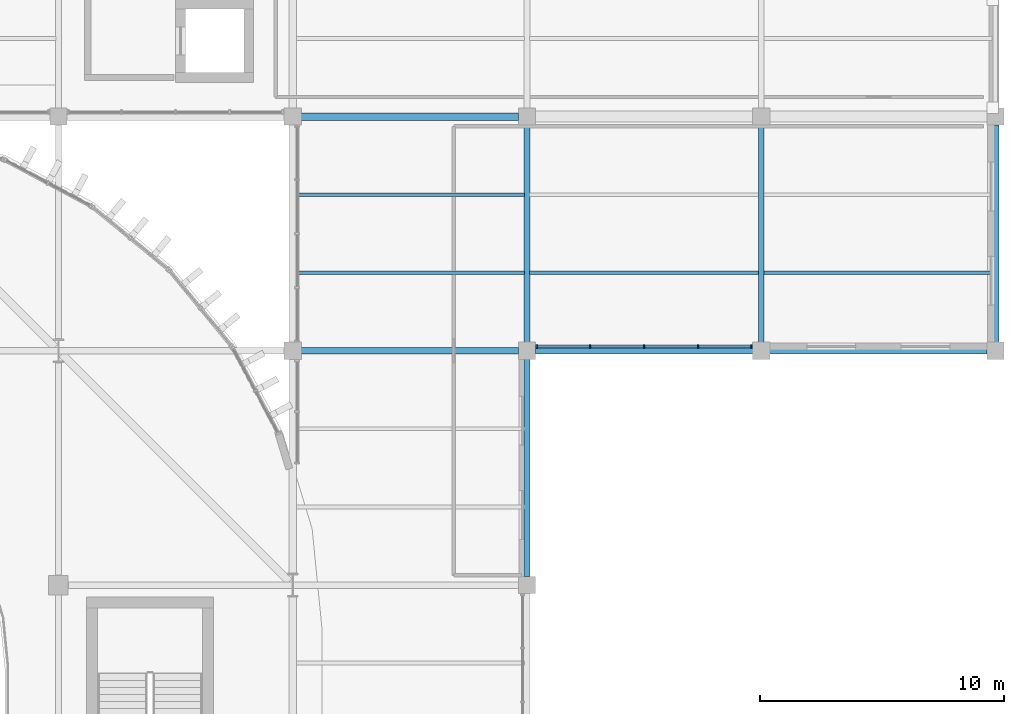
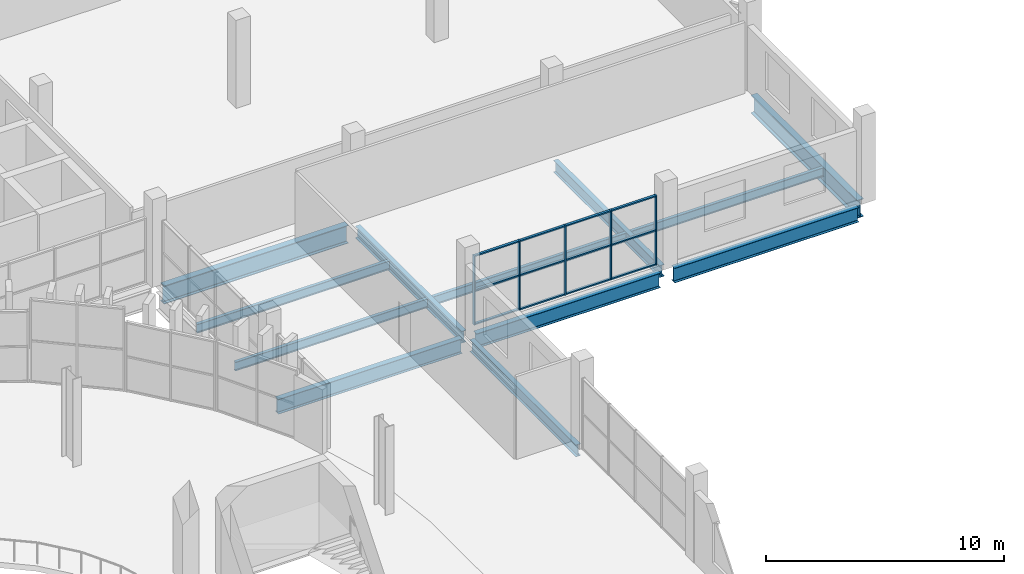
# One storey, part 29 of 75: 17 members, 12 beams, 1 element without a shape of its own.
"""IFC4 building model written with IfcOpenShell, lengths in metres."""

from ifc_helpers import new_model, si_unit, direction, frame, origin, origin_2d, place, context, subcontext, project, spatial, rectangle, i_section, extrude, material, layer, layer_set, material_profile, profile_set, type_object, element, aggregate, save


model = new_model("IFC4")

# Units and contexts
model_context = context("Model", 3, precision=1e-05, world=origin(), true_north=direction((0.0, 1.0)))
body_context = subcontext(model_context, "Body", "Model", "MODEL_VIEW")
ifc_project = project(units=[si_unit("LENGTHUNIT", "METRE"), si_unit("AREAUNIT", "SQUARE_METRE"), si_unit("VOLUMEUNIT", "CUBIC_METRE"), si_unit("PLANEANGLEUNIT", "RADIAN"), si_unit("MASSUNIT", "GRAM", prefix="KILO")], contexts=[model_context])

# Site, building, storey
site_placement = place(None, origin())
site = spatial("IfcSite", under=ifc_project, at=site_placement, CompositionType="ELEMENT")
building_placement = place(site_placement, origin())
building = spatial("IfcBuilding", under=site, at=building_placement, Name="Caelomonte Colonnade Arena", CompositionType="ELEMENT")
storey_placement = place(building_placement, frame((0.0, 0.0, 14.10009765625)))
storey = spatial("IfcBuildingStorey", under=building, at=storey_placement, Name="L03", CompositionType="ELEMENT", Elevation=14.10009765625)

# Curtain wall, members
ifc_material_1 = material(Name="Bronze anodised aluminium and low-E glazing", Category="aluminium")
ifc_layer = layer(ifc_material_1, 0.179931640625)
ifc_layer_set = layer_set([ifc_layer], Name="Bronze anodised aluminium and low-E glazing")
curtain_wall_type = type_object("IfcCurtainWallType", Name="ENV-CW-CW-L03-96-36", PredefinedType="USERDEFINED", material=ifc_layer_set)
curtain_wall_placement = place(storey_placement, origin())
curtain_wall = element("IfcCurtainWall", 1, at=curtain_wall_placement, inside=storey, type_object=curtain_wall_type, Name="L03 unitized curtain wall CW-L03-1776-1058", ObjectType="UNITIZED CURTAIN WALL", PredefinedType="USERDEFINED")
ifc_material_2 = material(Name="Bronze anodised aluminium AA6063-T6", Category="aluminium")
ifc_material_profile_1 = material_profile(ifc_material_2, rectangle(XDim=0.06494140625, YDim=0.14990234375, at=origin_2d()), Name="CWM-65X150")
ifc_profile_set_1 = profile_set([ifc_material_profile_1], Name="Bronze anodised aluminium AA6063-T6")
member_type_1 = type_object("IfcMemberType", Name="ENV-CW-MULL2", PredefinedType="MULLION", material=ifc_profile_set_1)
member_1_placement = place(storey_placement, frame((173.202392578125, 105.780029296875, 0.0), z_axis=(0.0, 0.0, 1.0), x_axis=(1.0, 0.0, 0.0)))
member_1 = element("IfcMember", 2, at=member_1_placement, type_object=member_type_1, Name="CW-L03-96-36 mullion 1", PredefinedType="MULLION", context=body_context, shape_type="SweptSolid", body=[
    extrude(rectangle(XDim=0.06494140625, YDim=0.14990234375, at=origin_2d()), origin(), (0.0, 0.0, 1.0), 3.556396484375),
])
member_2_placement = place(storey_placement, frame((175.385009765625, 105.780029296875, 0.0), z_axis=(0.0, 0.0, 1.0), x_axis=(1.0, 0.0, 0.0)))
member_2 = element("IfcMember", 3, at=member_2_placement, type_object=member_type_1, Name="CW-L03-96-36 mullion 2", PredefinedType="MULLION", context=body_context, shape_type="SweptSolid", body=[
    extrude(rectangle(XDim=0.06494140625, YDim=0.14990234375, at=origin_2d()), origin(), (0.0, 0.0, 1.0), 3.556396484375),
])
member_3_placement = place(storey_placement, frame((177.60009765625, 105.780029296875, 0.0), z_axis=(0.0, 0.0, 1.0), x_axis=(1.0, 0.0, 0.0)))
member_3 = element("IfcMember", 4, at=member_3_placement, type_object=member_type_1, Name="CW-L03-96-36 mullion 3", PredefinedType="MULLION", context=body_context, shape_type="SweptSolid", body=[
    extrude(rectangle(XDim=0.06494140625, YDim=0.14990234375, at=origin_2d()), origin(), (0.0, 0.0, 1.0), 3.556396484375),
])
member_4_placement = place(storey_placement, frame((179.81494140625, 105.780029296875, 0.0), z_axis=(0.0, 0.0, 1.0), x_axis=(1.0, 0.0, 0.0)))
member_4 = element("IfcMember", 5, at=member_4_placement, type_object=member_type_1, Name="CW-L03-96-36 mullion 4", PredefinedType="MULLION", context=body_context, shape_type="SweptSolid", body=[
    extrude(rectangle(XDim=0.06494140625, YDim=0.14990234375, at=origin_2d()), origin(), (0.0, 0.0, 1.0), 3.556396484375),
])
member_5_placement = place(storey_placement, frame((181.99755859375, 105.780029296875, 0.0), z_axis=(0.0, 0.0, 1.0), x_axis=(1.0, 0.0, 0.0)))
member_5 = element("IfcMember", 6, at=member_5_placement, type_object=member_type_1, Name="CW-L03-96-36 mullion 5", PredefinedType="MULLION", context=body_context, shape_type="SweptSolid", body=[
    extrude(rectangle(XDim=0.06494140625, YDim=0.14990234375, at=origin_2d()), origin(), (0.0, 0.0, 1.0), 3.556396484375),
])
ifc_material_profile_2 = material_profile(ifc_material_2, rectangle(XDim=0.06494140625, YDim=0.1201171875, at=origin_2d()), Name="CWT-65X120")
ifc_profile_set_2 = profile_set([ifc_material_profile_2], Name="Bronze anodised aluminium AA6063-T6")
member_type_2 = type_object("IfcMemberType", Name="ENV-CW-TRAN2", PredefinedType="USERDEFINED", material=ifc_profile_set_2)
member_6_placement = place(storey_placement, frame((173.235107421875, 105.780029296875, 0.032470703125), z_axis=(1.0, 0.0, 0.0), x_axis=(0.0, 0.0, 1.0)))
member_6 = element("IfcMember", 7, at=member_6_placement, type_object=member_type_2, Name="CW-L03-96-36 transom 1.1", ObjectType="TRANSOM", PredefinedType="USERDEFINED", context=body_context, shape_type="SweptSolid", body=[
    extrude(rectangle(XDim=0.06494140625, YDim=0.1201171875, at=origin_2d()), origin(), (0.0, 0.0, 1.0), 2.117431640625),
])
member_7_placement = place(storey_placement, frame((173.235107421875, 105.780029296875, 1.7783203125), z_axis=(1.0, 0.0, 0.0), x_axis=(0.0, 0.0, 1.0)))
member_7 = element("IfcMember", 8, at=member_7_placement, type_object=member_type_2, Name="CW-L03-96-36 transom 1.2", ObjectType="TRANSOM", PredefinedType="USERDEFINED", context=body_context, shape_type="SweptSolid", body=[
    extrude(rectangle(XDim=0.06494140625, YDim=0.1201171875, at=origin_2d()), origin(), (0.0, 0.0, 1.0), 2.117431640625),
])
member_8_placement = place(storey_placement, frame((173.235107421875, 105.780029296875, 3.52392578125), z_axis=(1.0, 0.0, 0.0), x_axis=(0.0, 0.0, 1.0)))
member_8 = element("IfcMember", 9, at=member_8_placement, type_object=member_type_2, Name="CW-L03-96-36 transom 1.3", ObjectType="TRANSOM", PredefinedType="USERDEFINED", context=body_context, shape_type="SweptSolid", body=[
    extrude(rectangle(XDim=0.06494140625, YDim=0.1201171875, at=origin_2d()), origin(), (0.0, 0.0, 1.0), 2.117431640625),
])
member_9_placement = place(storey_placement, frame((175.41748046875, 105.780029296875, 0.032470703125), z_axis=(1.0, 0.0, 0.0), x_axis=(0.0, 0.0, 1.0)))
member_9 = element("IfcMember", 10, at=member_9_placement, type_object=member_type_2, Name="CW-L03-96-36 transom 2.1", ObjectType="TRANSOM", PredefinedType="USERDEFINED", context=body_context, shape_type="SweptSolid", body=[
    extrude(rectangle(XDim=0.06494140625, YDim=0.1201171875, at=origin_2d()), origin(), (0.0, 0.0, 1.0), 2.14990234375),
])
member_10_placement = place(storey_placement, frame((175.41748046875, 105.780029296875, 1.7783203125), z_axis=(1.0, 0.0, 0.0), x_axis=(0.0, 0.0, 1.0)))
member_10 = element("IfcMember", 11, at=member_10_placement, type_object=member_type_2, Name="CW-L03-96-36 transom 2.2", ObjectType="TRANSOM", PredefinedType="USERDEFINED", context=body_context, shape_type="SweptSolid", body=[
    extrude(rectangle(XDim=0.06494140625, YDim=0.1201171875, at=origin_2d()), origin(), (0.0, 0.0, 1.0), 2.14990234375),
])
member_11_placement = place(storey_placement, frame((175.41748046875, 105.780029296875, 3.52392578125), z_axis=(1.0, 0.0, 0.0), x_axis=(0.0, 0.0, 1.0)))
member_11 = element("IfcMember", 12, at=member_11_placement, type_object=member_type_2, Name="CW-L03-96-36 transom 2.3", ObjectType="TRANSOM", PredefinedType="USERDEFINED", context=body_context, shape_type="SweptSolid", body=[
    extrude(rectangle(XDim=0.06494140625, YDim=0.1201171875, at=origin_2d()), origin(), (0.0, 0.0, 1.0), 2.14990234375),
])
member_12_placement = place(storey_placement, frame((177.632568359375, 105.780029296875, 0.032470703125), z_axis=(1.0, 0.0, 0.0), x_axis=(0.0, 0.0, 1.0)))
member_12 = element("IfcMember", 13, at=member_12_placement, type_object=member_type_2, Name="CW-L03-96-36 transom 3.1", ObjectType="TRANSOM", PredefinedType="USERDEFINED", context=body_context, shape_type="SweptSolid", body=[
    extrude(rectangle(XDim=0.06494140625, YDim=0.1201171875, at=origin_2d()), origin(), (0.0, 0.0, 1.0), 2.14990234375),
])
member_13_placement = place(storey_placement, frame((177.632568359375, 105.780029296875, 1.7783203125), z_axis=(1.0, 0.0, 0.0), x_axis=(0.0, 0.0, 1.0)))
member_13 = element("IfcMember", 14, at=member_13_placement, type_object=member_type_2, Name="CW-L03-96-36 transom 3.2", ObjectType="TRANSOM", PredefinedType="USERDEFINED", context=body_context, shape_type="SweptSolid", body=[
    extrude(rectangle(XDim=0.06494140625, YDim=0.1201171875, at=origin_2d()), origin(), (0.0, 0.0, 1.0), 2.14990234375),
])
member_14_placement = place(storey_placement, frame((177.632568359375, 105.780029296875, 3.52392578125), z_axis=(1.0, 0.0, 0.0), x_axis=(0.0, 0.0, 1.0)))
member_14 = element("IfcMember", 15, at=member_14_placement, type_object=member_type_2, Name="CW-L03-96-36 transom 3.3", ObjectType="TRANSOM", PredefinedType="USERDEFINED", context=body_context, shape_type="SweptSolid", body=[
    extrude(rectangle(XDim=0.06494140625, YDim=0.1201171875, at=origin_2d()), origin(), (0.0, 0.0, 1.0), 2.14990234375),
])
member_15_placement = place(storey_placement, frame((179.847412109375, 105.780029296875, 0.032470703125), z_axis=(1.0, 0.0, 0.0), x_axis=(0.0, 0.0, 1.0)))
member_15 = element("IfcMember", 16, at=member_15_placement, type_object=member_type_2, Name="CW-L03-96-36 transom 4.1", ObjectType="TRANSOM", PredefinedType="USERDEFINED", context=body_context, shape_type="SweptSolid", body=[
    extrude(rectangle(XDim=0.06494140625, YDim=0.1201171875, at=origin_2d()), origin(), (0.0, 0.0, 1.0), 2.11767578125),
])
member_16_placement = place(storey_placement, frame((179.847412109375, 105.780029296875, 1.7783203125), z_axis=(1.0, 0.0, 0.0), x_axis=(0.0, 0.0, 1.0)))
member_16 = element("IfcMember", 17, at=member_16_placement, type_object=member_type_2, Name="CW-L03-96-36 transom 4.2", ObjectType="TRANSOM", PredefinedType="USERDEFINED", context=body_context, shape_type="SweptSolid", body=[
    extrude(rectangle(XDim=0.06494140625, YDim=0.1201171875, at=origin_2d()), origin(), (0.0, 0.0, 1.0), 2.11767578125),
])
member_17_placement = place(storey_placement, frame((179.847412109375, 105.780029296875, 3.52392578125), z_axis=(1.0, 0.0, 0.0), x_axis=(0.0, 0.0, 1.0)))
member_17 = element("IfcMember", 18, at=member_17_placement, type_object=member_type_2, Name="CW-L03-96-36 transom 4.3", ObjectType="TRANSOM", PredefinedType="USERDEFINED", context=body_context, shape_type="SweptSolid", body=[
    extrude(rectangle(XDim=0.06494140625, YDim=0.1201171875, at=origin_2d()), origin(), (0.0, 0.0, 1.0), 2.11767578125),
])
aggregate(curtain_wall, [member_1, member_2, member_3, member_4, member_5, member_6, member_7, member_8, member_9, member_10, member_11, member_12, member_13, member_14, member_15, member_16, member_17])

# Beams
ifc_material_3 = material(Name="Wide-flange steel ASTM A992 Grade 50", Category="steel")
ifc_material_profile_3 = material_profile(ifc_material_3, i_section(OverallWidth=0.307861328125, OverallDepth=0.927001953125, WebThickness=0.019287109375, FlangeThickness=0.031982421875, FilletRadius=0.020263671875, at=origin_2d()), Name="W36X194")
ifc_profile_set_3 = profile_set([ifc_material_profile_3], Name="Wide-flange steel ASTM A992 Grade 50")
beam_type_1 = type_object("IfcBeamType", Name="STR-BM-EAVES2", PredefinedType="SPANDREL", material=ifc_profile_set_3)
for number, where, z_axis, x_axis, name in (
    (19, (163.5419921875, 115.199951171875, -0.74365234375), (1.0, 0.0, 0.0), (0.0, 1.0, 0.0), "L03 girder BMX-L03-1632-1152"),
    (20, (192.0, 105.94189453125, -0.74365234375), (0.0, 1.0, 0.0), (-1.0, 0.0, 0.0), "L03 girder BMY-L03-1920-1056"),
):
    element("IfcBeam", number, at=place(storey_placement, frame(where, z_axis=z_axis, x_axis=x_axis)), inside=storey, type_object=beam_type_1, Name=name, PredefinedType="SPANDREL", context=body_context, shape_type="SweptSolid", body=[
        extrude(i_section(OverallWidth=0.307861328125, OverallDepth=0.927001953125, WebThickness=0.019287109375, FlangeThickness=0.031982421875, FilletRadius=0.020263671875, at=origin_2d()), origin(), (0.0, 0.0, 1.0), 8.916015625),
    ])
ifc_material_profile_4 = material_profile(ifc_material_3, i_section(OverallWidth=0.228271484375, OverallDepth=0.607177734375, WebThickness=0.01123046875, FlangeThickness=0.017333984375, FilletRadius=0.0126953125, at=origin_2d()), Name="W24X76")
ifc_profile_set_4 = profile_set([ifc_material_profile_4], Name="Wide-flange steel ASTM A992 Grade 50")
beam_type_2 = type_object("IfcBeamType", Name="STR-BM-GIRD24", PredefinedType="BEAM", material=ifc_profile_set_4)
for number, where, z_axis, x_axis, name in (
    (21, (172.800048828125, 96.342041015625, -0.58349609375), (0.0, 1.0, 0.0), (-1.0, 0.0, 0.0), "L03 girder BMY-L03-1728-0960"),
    (22, (172.800048828125, 105.94189453125, -0.58349609375), (0.0, 1.0, 0.0), (-1.0, 0.0, 0.0), "L03 girder BMY-L03-1728-1056"),
    (23, (182.39990234375, 105.94189453125, -0.58349609375), (0.0, 1.0, 0.0), (-1.0, 0.0, 0.0), "L03 girder BMY-L03-1824-1056"),
):
    element("IfcBeam", number, at=place(storey_placement, frame(where, z_axis=z_axis, x_axis=x_axis)), inside=storey, type_object=beam_type_2, Name=name, PredefinedType="BEAM", context=body_context, shape_type="SweptSolid", body=[
        extrude(i_section(OverallWidth=0.228271484375, OverallDepth=0.607177734375, WebThickness=0.01123046875, FlangeThickness=0.017333984375, FilletRadius=0.0126953125, at=origin_2d()), origin(), (0.0, 0.0, 1.0), 8.916015625),
    ])
ifc_material_profile_5 = material_profile(ifc_material_3, i_section(OverallWidth=0.265380859375, OverallDepth=0.75439453125, WebThickness=0.01318359375, FlangeThickness=0.01708984375, FilletRadius=0.0166015625, at=origin_2d()), Name="W30X99")
ifc_profile_set_5 = profile_set([ifc_material_profile_5], Name="Wide-flange steel ASTM A992 Grade 50")
beam_type_3 = type_object("IfcBeamType", Name="STR-BM-GIRD30B", PredefinedType="BEAM", material=ifc_profile_set_5)
for number, where, z_axis, x_axis, name in (
    (24, (163.5419921875, 105.60009765625, -0.6572265625), (1.0, 0.0, 0.0), (0.0, 1.0, 0.0), "L03 girder BMX-L03-1632-1056"),
    (25, (173.14208984375, 105.60009765625, -0.6572265625), (1.0, 0.0, 0.0), (0.0, 1.0, 0.0), "L03 girder BMX-L03-1728-1056"),
    (26, (182.741943359375, 105.60009765625, -0.6572265625), (1.0, 0.0, 0.0), (0.0, 1.0, 0.0), "L03 girder BMX-L03-1824-1056"),
):
    element("IfcBeam", number, at=place(storey_placement, frame(where, z_axis=z_axis, x_axis=x_axis)), inside=storey, type_object=beam_type_3, Name=name, PredefinedType="BEAM", context=body_context, shape_type="SweptSolid", body=[
        extrude(i_section(OverallWidth=0.265380859375, OverallDepth=0.75439453125, WebThickness=0.01318359375, FlangeThickness=0.01708984375, FilletRadius=0.0166015625, at=origin_2d()), origin(), (0.0, 0.0, 1.0), 8.916015625),
    ])
ifc_material_profile_6 = material_profile(ifc_material_3, i_section(OverallWidth=0.15283203125, OverallDepth=0.45458984375, WebThickness=0.008056640625, FlangeThickness=0.01318359375, FilletRadius=0.01025390625, at=origin_2d()), Name="W18X40")
ifc_profile_set_6 = profile_set([ifc_material_profile_6], Name="Wide-flange steel ASTM A992 Grade 50")
beam_type_4 = type_object("IfcBeamType", Name="STR-BM-JOIST18B", PredefinedType="JOIST", material=ifc_profile_set_6)
for number, where, z_axis, x_axis, name in (
    (27, (163.348876953125, 108.800048828125, -0.50732421875), (1.0, 0.0, 0.0), (0.0, 1.0, 0.0), "L03 secondary joist 1"),
    (28, (163.348876953125, 112.0, -0.50732421875), (1.0, 0.0, 0.0), (0.0, 1.0, 0.0), "L03 secondary joist 2"),
):
    element("IfcBeam", number, at=place(storey_placement, frame(where, z_axis=z_axis, x_axis=x_axis)), inside=storey, type_object=beam_type_4, Name=name, PredefinedType="JOIST", context=body_context, shape_type="SweptSolid", body=[
        extrude(i_section(OverallWidth=0.15283203125, OverallDepth=0.45458984375, WebThickness=0.008056640625, FlangeThickness=0.01318359375, FilletRadius=0.01025390625, at=origin_2d()), origin(), (0.0, 0.0, 1.0), 9.342041015625),
    ])
beam_1_placement = place(storey_placement, frame((172.9091796875, 108.800048828125, -0.50732421875), z_axis=(1.0, 0.0, 0.0), x_axis=(0.0, 1.0, 0.0)))
element("IfcBeam", 29, at=beam_1_placement, inside=storey, type_object=beam_type_4, Name="L03 secondary joist 1", PredefinedType="JOIST", context=body_context, shape_type="SweptSolid", body=[
    extrude(i_section(OverallWidth=0.15283203125, OverallDepth=0.45458984375, WebThickness=0.008056640625, FlangeThickness=0.01318359375, FilletRadius=0.01025390625, at=origin_2d()), origin(), (0.0, 0.0, 1.0), 9.3818359375),
])
beam_2_placement = place(storey_placement, frame((182.50927734375, 108.800048828125, -0.50732421875), z_axis=(1.0, 0.0, 0.0), x_axis=(0.0, 1.0, 0.0)))
element("IfcBeam", 30, at=beam_2_placement, inside=storey, type_object=beam_type_4, Name="L03 secondary joist 1", PredefinedType="JOIST", context=body_context, shape_type="SweptSolid", body=[
    extrude(i_section(OverallWidth=0.15283203125, OverallDepth=0.45458984375, WebThickness=0.008056640625, FlangeThickness=0.01318359375, FilletRadius=0.01025390625, at=origin_2d()), origin(), (0.0, 0.0, 1.0), 9.341796875),
])

save(model, "model.ifc")
